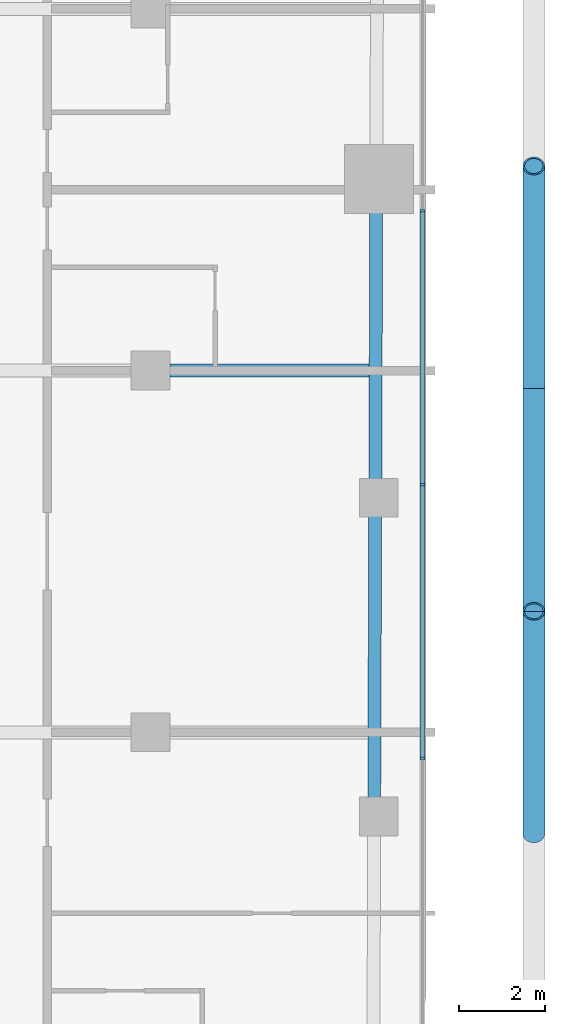
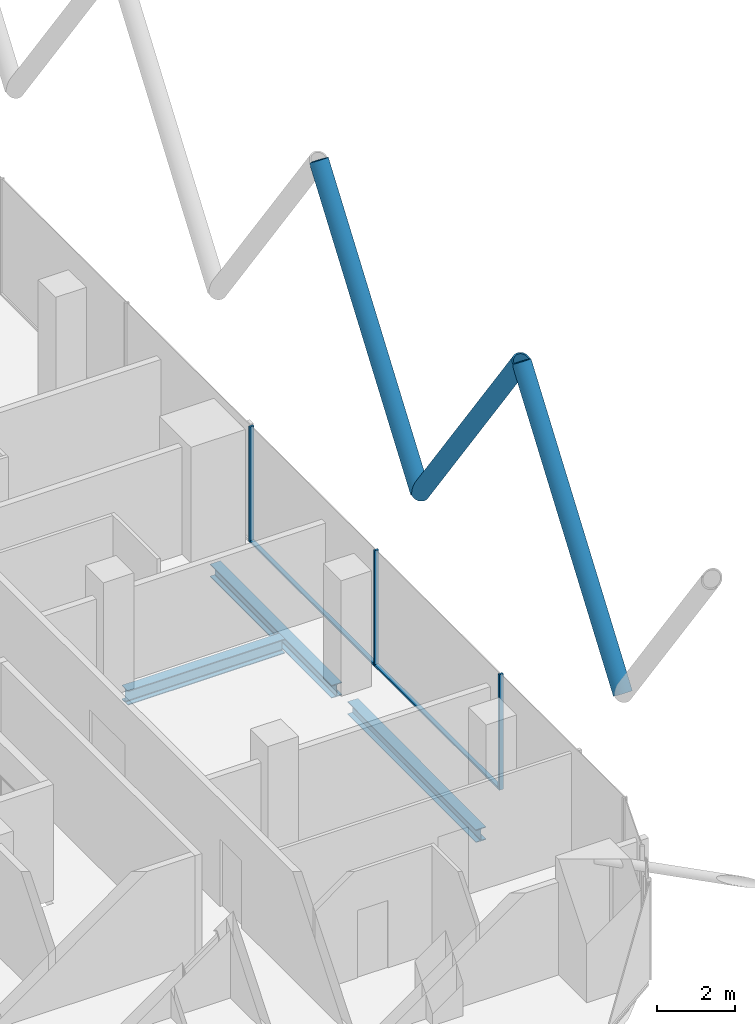
# One storey, part 8 of 33: 8 members, 3 beams, 1 element without a shape of its own.
"""IFC4 building model written with IfcOpenShell, lengths in metres."""

from ifc_helpers import new_model, si_unit, direction, frame, origin, origin_2d, place, context, subcontext, project, spatial, rectangle, hollow_circle, i_section, extrude, material, layer, layer_set, material_profile, profile_set, type_object, element, aggregate, save


model = new_model("IFC4")

# Units and contexts
model_context = context("Model", 3, precision=1e-05, world=origin(), true_north=direction((0.0, 1.0)))
body_context = subcontext(model_context, "Body", "Model", "MODEL_VIEW")
ifc_project = project(units=[si_unit("LENGTHUNIT", "METRE"), si_unit("AREAUNIT", "SQUARE_METRE"), si_unit("VOLUMEUNIT", "CUBIC_METRE"), si_unit("PLANEANGLEUNIT", "RADIAN"), si_unit("MASSUNIT", "GRAM", prefix="KILO")], contexts=[model_context])

# Site, building, storey
site_placement = place(None, origin())
site = spatial("IfcSite", under=ifc_project, at=site_placement, CompositionType="ELEMENT")
building_placement = place(site_placement, origin())
building = spatial("IfcBuilding", under=site, at=building_placement, Name="Marenta Gate Hotel Tower", CompositionType="ELEMENT")
storey_placement = place(building_placement, frame((0.0, 0.0, 151.699951171875)))
storey = spatial("IfcBuildingStorey", under=building, at=storey_placement, Name="L35", CompositionType="ELEMENT", Elevation=151.699951171875)

# Members
ifc_material_1 = material(Name="Steel S355J2W", Category="steel")
ifc_material_profile_1 = material_profile(ifc_material_1, hollow_circle(Radius=0.25390625, WallThickness=0.0400390625, at=origin_2d()), Name="CHS 508x40")
ifc_profile_set_1 = profile_set([ifc_material_profile_1], Name="Steel S355J2W")
member_type_1 = type_object("IfcMemberType", Name="Diagrid diagonal Z2 CHS 508x40", PredefinedType="BRACE", material=ifc_profile_set_1)
member_1_placement = place(storey_placement, frame((29.89990234375, -0.420166015625, 3.14013671875), z_axis=(0.0, 0.583279014058, 0.812271870595), x_axis=(-1.0, 0.0, 0.0)))
element("IfcMember", 1, at=member_1_placement, inside=storey, type_object=member_type_1, Name="L35-DG-6", PredefinedType="BRACE", context=body_context, shape_type="SweptSolid", body=[
    extrude(hollow_circle(Radius=0.25390625, WallThickness=0.0400390625, at=origin_2d()), origin(), (0.0, 0.0, 1.0), 8.864013671875),
])
for number, where, z_axis, x_axis, name in (
    (2, (29.89990234375, -0.420166015625, 3.14013671875), (0.0, -0.583260841117, 0.812284919975), (1.0, 0.0, 0.0), "L35-DG-7"),
    (3, (29.89990234375, -10.760009765625, 3.14013671875), (0.0, 0.583260841117, 0.812284919975), (-1.0, 0.0, 0.0), "L35-DG-8"),
):
    element("IfcMember", number, at=place(storey_placement, frame(where, z_axis=z_axis, x_axis=x_axis)), inside=storey, type_object=member_type_1, Name=name, PredefinedType="BRACE", context=body_context, shape_type="SweptSolid", body=[
        extrude(hollow_circle(Radius=0.25390625, WallThickness=0.0400390625, at=origin_2d()), origin(), (0.0, 0.0, 1.0), 8.86376953125),
    ])

# Beams
ifc_material_2 = material(Name="Steel S355", Category="steel")
ifc_material_profile_2 = material_profile(ifc_material_2, i_section(OverallWidth=0.300048828125, OverallDepth=0.39990234375, WebThickness=0.013427734375, FlangeThickness=0.02392578125, FilletRadius=0.027099609375, at=origin_2d()), Name="HEB 400")
ifc_profile_set_2 = profile_set([ifc_material_profile_2], Name="Steel S355")
beam_type_1 = type_object("IfcBeamType", Name="Edge beam HEB 400", PredefinedType="SPANDREL", material=ifc_profile_set_2)
beam_1_placement = place(storey_placement, frame((26.2392578125, 3.68994140625, -0.4599609375), z_axis=(-0.003330441525, -0.999994454064, 0.0), x_axis=(0.999994454064, -0.003330441525, 0.0)))
element("IfcBeam", 4, at=beam_1_placement, inside=storey, type_object=beam_type_1, Name="L35-EB-25", PredefinedType="SPANDREL", context=body_context, shape_type="SweptSolid", body=[
    extrude(i_section(OverallWidth=0.300048828125, OverallDepth=0.39990234375, WebThickness=0.013427734375, FlangeThickness=0.02392578125, FilletRadius=0.027099609375, at=origin_2d()), origin(), (0.0, 0.0, 1.0), 6.23095703125),
])
beam_2_placement = place(storey_placement, frame((26.2158203125, -3.36083984375, -0.4599609375), z_axis=(-0.00333875569, -0.99999442634, 0.0), x_axis=(0.99999442634, -0.00333875569, 0.0)))
element("IfcBeam", 5, at=beam_2_placement, inside=storey, type_object=beam_type_1, Name="L35-EB-26", PredefinedType="SPANDREL", context=body_context, shape_type="SweptSolid", body=[
    extrude(i_section(OverallWidth=0.300048828125, OverallDepth=0.39990234375, WebThickness=0.013427734375, FlangeThickness=0.02392578125, FilletRadius=0.027099609375, at=origin_2d()), origin(), (0.0, 0.0, 1.0), 6.5810546875),
])
ifc_material_3 = material(Name="Steel S355", Category="steel")
ifc_material_profile_3 = material_profile(ifc_material_3, i_section(OverallWidth=0.300048828125, OverallDepth=0.449951171875, WebThickness=0.013916015625, FlangeThickness=0.02587890625, FilletRadius=0.027099609375, at=origin_2d()), Name="HEB 450")
ifc_profile_set_3 = profile_set([ifc_material_profile_3], Name="Steel S355")
beam_type_2 = type_object("IfcBeamType", Name="Girder HEB 450", PredefinedType="BEAM", material=ifc_profile_set_3)
beam_3_placement = place(storey_placement, frame((21.449951171875, 0.0, -0.48486328125), z_axis=(1.0, 0.0, 0.0), x_axis=(0.0, 1.0, 0.0)))
element("IfcBeam", 6, at=beam_3_placement, inside=storey, type_object=beam_type_2, Name="L35-GD-19", PredefinedType="BEAM", context=body_context, shape_type="SweptSolid", body=[
    extrude(i_section(OverallWidth=0.300048828125, OverallDepth=0.449951171875, WebThickness=0.013916015625, FlangeThickness=0.02587890625, FilletRadius=0.027099609375, at=origin_2d()), origin(), (0.0, 0.0, 1.0), 4.626953125),
])

# Curtain wall, members
ifc_material_4 = material(Name="Tinted insulated glass in bronze anodised frame", Category="glass")
ifc_layer = layer(ifc_material_4, 0.1201171875)
ifc_layer_set = layer_set([ifc_layer], Name="Tinted insulated glass in bronze anodised frame")
curtain_wall_type = type_object("IfcCurtainWallType", Name="Tower unitised curtain wall CW1", PredefinedType="NOTDEFINED", material=ifc_layer_set)
curtain_wall_placement = place(storey_placement, origin())
curtain_wall = element("IfcCurtainWall", 7, at=curtain_wall_placement, inside=storey, type_object=curtain_wall_type, Name="CW1 run G19", PredefinedType="NOTDEFINED")
ifc_material_5 = material(Name="Bronze anodised aluminium", Category="aluminium")
ifc_material_profile_4 = material_profile(ifc_material_5, rectangle(XDim=0.1201171875, YDim=0.06005859375, at=origin_2d()), Name="Mullion CW1 60x120 bronze anodised aluminium")
ifc_profile_set_4 = profile_set([ifc_material_profile_4], Name="Bronze anodised aluminium")
member_type_2 = type_object("IfcMemberType", Name="Mullion CW1 60x120 bronze anodised aluminium", PredefinedType="MULLION", material=ifc_profile_set_4)
member_2_placement = place(storey_placement, frame((27.31396484375, -9.008056640625, 0.0), z_axis=(0.0, 0.0, 1.0), x_axis=(-1.0, 0.0, 0.0)))
member_2 = element("IfcMember", 8, at=member_2_placement, type_object=member_type_2, Name="CW1 mullion 2", PredefinedType="MULLION", context=body_context, shape_type="SweptSolid", body=[
    extrude(rectangle(XDim=0.1201171875, YDim=0.06005859375, at=origin_2d()), origin(), (0.0, 0.0, 1.0), 3.60009765625),
])
member_3_placement = place(storey_placement, frame((27.31396484375, -2.64794921875, 0.0), z_axis=(0.0, 0.0, 1.0), x_axis=(-1.0, 0.0, 0.0)))
member_3 = element("IfcMember", 9, at=member_3_placement, type_object=member_type_2, Name="CW1 mullion 3", PredefinedType="MULLION", context=body_context, shape_type="SweptSolid", body=[
    extrude(rectangle(XDim=0.1201171875, YDim=0.06005859375, at=origin_2d()), origin(), (0.0, 0.0, 1.0), 3.60009765625),
])
member_4_placement = place(storey_placement, frame((27.31396484375, 3.7119140625, 0.0), z_axis=(0.0, 0.0, 1.0), x_axis=(-1.0, 0.0, 0.0)))
member_4 = element("IfcMember", 10, at=member_4_placement, type_object=member_type_2, Name="CW1 mullion 4", PredefinedType="MULLION", context=body_context, shape_type="SweptSolid", body=[
    extrude(rectangle(XDim=0.1201171875, YDim=0.06005859375, at=origin_2d()), origin(), (0.0, 0.0, 1.0), 3.60009765625),
])
ifc_material_6 = material(Name="Bronze anodised aluminium", Category="aluminium")
ifc_material_profile_5 = material_profile(ifc_material_6, rectangle(XDim=0.1201171875, YDim=0.06005859375, at=origin_2d()), Name="Transom CW1 60x120 bronze anodised aluminium")
ifc_profile_set_5 = profile_set([ifc_material_profile_5], Name="Bronze anodised aluminium")
member_type_3 = type_object("IfcMemberType", Name="Transom CW1 60x120 bronze anodised aluminium", PredefinedType="USERDEFINED", material=ifc_profile_set_5)
member_5_placement = place(storey_placement, frame((27.31396484375, -8.97802734375, 0.030029296875), z_axis=(0.0, 1.0, 0.0), x_axis=(-1.0, 0.0, 0.0)))
member_5 = element("IfcMember", 11, at=member_5_placement, type_object=member_type_3, Name="CW1 transom 2.1", ObjectType="TRANSOM", PredefinedType="USERDEFINED", context=body_context, shape_type="SweptSolid", body=[
    extrude(rectangle(XDim=0.1201171875, YDim=0.06005859375, at=origin_2d()), origin(), (0.0, 0.0, 1.0), 6.300048828125),
])
member_6_placement = place(storey_placement, frame((27.31396484375, -2.617919921875, 0.030029296875), z_axis=(0.0, 1.0, 0.0), x_axis=(-1.0, 0.0, 0.0)))
member_6 = element("IfcMember", 12, at=member_6_placement, type_object=member_type_3, Name="CW1 transom 3.1", ObjectType="TRANSOM", PredefinedType="USERDEFINED", context=body_context, shape_type="SweptSolid", body=[
    extrude(rectangle(XDim=0.1201171875, YDim=0.06005859375, at=origin_2d()), origin(), (0.0, 0.0, 1.0), 6.2998046875),
])
aggregate(curtain_wall, [member_2, member_3, member_4, member_5, member_6])

save(model, "model.ifc")
